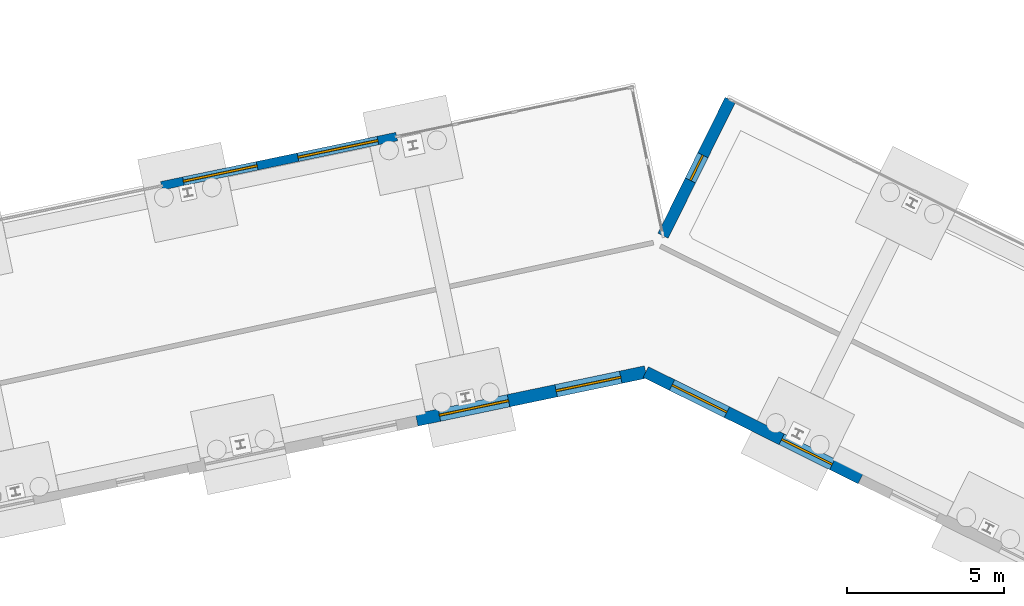
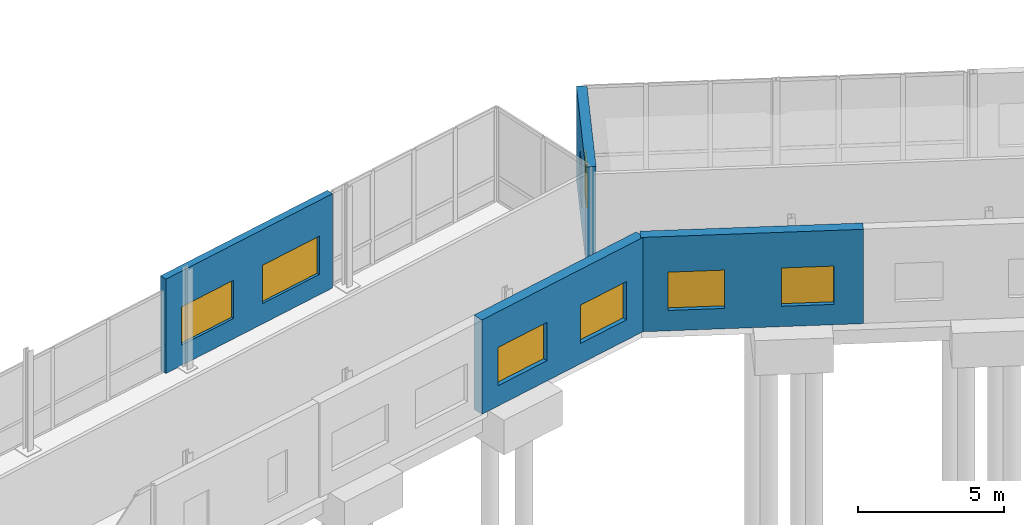
# One storey, part 88 of 113: 7 windows, 4 walls, 7 openings.
"""IFC4 building model written with IfcOpenShell, lengths in metres."""

from ifc_helpers import new_model, si_unit, direction, frame, frame_2d, origin, place, context, subcontext, project, spatial, rectangle, extrude, material, layer, layer_set, type_object, element, fill, save


model = new_model("IFC4")

# Units and contexts
model_context = context("Model", 3, precision=1e-05, world=origin(), true_north=direction((0.0, 1.0)))
body_context = subcontext(model_context, "Body", "Model", "MODEL_VIEW")
ifc_project = project(units=[si_unit("LENGTHUNIT", "METRE"), si_unit("AREAUNIT", "SQUARE_METRE"), si_unit("VOLUMEUNIT", "CUBIC_METRE"), si_unit("PLANEANGLEUNIT", "RADIAN"), si_unit("MASSUNIT", "GRAM", prefix="KILO")], contexts=[model_context])

# Site, building, storey
site_placement = place(None, origin())
site = spatial("IfcSite", under=ifc_project, at=site_placement, CompositionType="ELEMENT")
building_placement = place(site_placement, origin())
building = spatial("IfcBuilding", under=site, at=building_placement, Name="Wrenclough Park School", CompositionType="ELEMENT")
storey_placement = place(building_placement, origin())
storey = spatial("IfcBuildingStorey", under=building, at=storey_placement, Name="L00", CompositionType="ELEMENT", Elevation=0.0)

# Wall, openings, windows
ifc_material_1 = material(Name="Link wing brick-faced cavity wall Concrete C32/40", Category="masonry")
ifc_layer_1 = layer(ifc_material_1, 0.27490234375)
ifc_layer_set_1 = layer_set([ifc_layer_1], Name="Link wing brick-faced cavity wall Concrete C32/40")
wall_type_1 = type_object("IfcWallType", Name="ENV-EW-275", PredefinedType="SOLIDWALL", material=ifc_layer_set_1)
wall_1_placement = place(storey_placement, frame((109.985595703125, 118.72509765625, 0.0), z_axis=(0.0, 0.0, 1.0), x_axis=(0.978789137369, 0.204870262772, 0.0)))
wall_1 = element("IfcWall", 1, at=wall_1_placement, inside=storey, type_object=wall_type_1, Name="L00 insulated brick external wall 0022", PredefinedType="SOLIDWALL", context=body_context, shape_type="SweptSolid", body=[
    extrude(rectangle(XDim=7.65185546875, YDim=0.27490234375, at=frame_2d((3.825927734375, 0.0))), origin(), (0.0, 0.0, 1.0), 3.93994140625),
])
opening_1_placement = place(wall_1_placement, frame((0.712890625, 0.0, 0.85009765625)))
opening_1 = element("IfcOpeningElement", 2, at=opening_1_placement, cuts=wall_1, Name="Opening WN-23", PredefinedType="OPENING", context=body_context, shape_type="SweptSolid", body=[
    extrude(rectangle(XDim=2.39990234375, YDim=1.60009765625, at=frame_2d((1.199951171875, 0.800048828125))), frame((0.0, 0.1474609375, 0.0), z_axis=(0.0, -1.0, 0.0), x_axis=(1.0, 0.0, 0.0)), (0.0, 0.0, 1.0), 0.294921875),
])
opening_2_placement = place(wall_1_placement, frame((4.438720703125, 0.0, 0.85009765625)))
opening_2 = element("IfcOpeningElement", 3, at=opening_2_placement, cuts=wall_1, Name="Opening WN-24", PredefinedType="OPENING", context=body_context, shape_type="SweptSolid", body=[
    extrude(rectangle(XDim=2.60009765625, YDim=1.60009765625, at=frame_2d((1.300048828125, 0.800048828125))), frame((0.0, 0.1474609375, 0.0), z_axis=(0.0, -1.0, 0.0), x_axis=(1.0, 0.0, 0.0)), (0.0, 0.0, 1.0), 0.294921875),
])
ifc_material_2 = material(Name="Thermally broken aluminium and double-glazed low-e glass", Category="aluminium")
window_type_1 = type_object("IfcWindowType", Name="ENV-WN-23", PartitioningType="DOUBLE_PANEL_VERTICAL", PredefinedType="WINDOW", material=ifc_material_2)
window_1_placement = place(opening_1_placement, origin())
window_1 = element("IfcWindow", 4, at=window_1_placement, inside=storey, type_object=window_type_1, Name="L00 scheduled facade window 0022", OverallHeight=1.60009765625, OverallWidth=2.39990234375, PartitioningType="SINGLE_PANEL", PredefinedType="WINDOW", context=body_context, shape_type="SweptSolid", body=[
    extrude(rectangle(XDim=2.39990234375, YDim=1.60009765625, at=frame_2d((1.199951171875, 0.800048828125))), frame((0.0, 0.030029296875, 0.0), z_axis=(0.0, -1.0, 0.0), x_axis=(1.0, 0.0, 0.0)), (0.0, 0.0, 1.0), 0.06005859375),
])
fill(opening_1, window_1)
window_type_2 = type_object("IfcWindowType", Name="ENV-WN-24", PartitioningType="DOUBLE_PANEL_VERTICAL", PredefinedType="WINDOW", material=ifc_material_2)
window_2_placement = place(opening_2_placement, origin())
window_2 = element("IfcWindow", 5, at=window_2_placement, inside=storey, type_object=window_type_2, Name="L00 scheduled facade window 0023", OverallHeight=1.60009765625, OverallWidth=2.60009765625, PartitioningType="SINGLE_PANEL", PredefinedType="WINDOW", context=body_context, shape_type="SweptSolid", body=[
    extrude(rectangle(XDim=2.60009765625, YDim=1.60009765625, at=frame_2d((1.300048828125, 0.800048828125))), frame((0.0, 0.030029296875, 0.0), z_axis=(0.0, -1.0, 0.0), x_axis=(1.0, 0.0, 0.0)), (0.0, 0.0, 1.0), 0.06005859375),
])
fill(opening_2, window_2)

# Wall, opening, window
ifc_material_3 = material(Name="Faceted courtyard brick-cavity wall Concrete C35/45", Category="masonry")
ifc_layer_2 = layer(ifc_material_3, 0.364990234375)
ifc_layer_set_2 = layer_set([ifc_layer_2], Name="Faceted courtyard brick-cavity wall Concrete C35/45")
wall_type_2 = type_object("IfcWallType", Name="ENV-EW-365", PredefinedType="SOLIDWALL", material=ifc_layer_set_2)
wall_2_placement = place(storey_placement, frame((125.95361328125, 117.135498046875, 0.0), z_axis=(0.0, 0.0, 1.0), x_axis=(0.443507546111, 0.896270638001, 0.0)))
wall_2 = element("IfcWall", 6, at=wall_2_placement, inside=storey, type_object=wall_type_2, Name="L00 insulated brick external wall 0023", PredefinedType="SOLIDWALL", context=body_context, shape_type="SweptSolid", body=[
    extrude(rectangle(XDim=4.8271484375, YDim=0.364990234375, at=frame_2d((2.41357421875, 0.0))), origin(), (0.0, 0.0, 1.0), 3.93994140625),
])
opening_3_placement = place(wall_2_placement, frame((1.963623046875, 0.0, 0.85009765625)))
opening_3 = element("IfcOpeningElement", 7, at=opening_3_placement, cuts=wall_2, Name="Opening WN-25", PredefinedType="OPENING", context=body_context, shape_type="SweptSolid", body=[
    extrude(rectangle(XDim=0.89990234375, YDim=1.800048828125, at=frame_2d((0.449951171875, 0.89990234375))), frame((0.0, 0.1923828125, 0.0), z_axis=(0.0, -1.0, 0.0), x_axis=(1.0, 0.0, 0.0)), (0.0, 0.0, 1.0), 0.385009765625),
])
window_type_3 = type_object("IfcWindowType", Name="ENV-WN-25", PartitioningType="SINGLE_PANEL", PredefinedType="WINDOW", material=ifc_material_2)
window_3_placement = place(opening_3_placement, origin())
window_3 = element("IfcWindow", 8, at=window_3_placement, inside=storey, type_object=window_type_3, Name="L00 scheduled facade window 0024", OverallHeight=1.800048828125, OverallWidth=0.89990234375, PartitioningType="SINGLE_PANEL", PredefinedType="WINDOW", context=body_context, shape_type="SweptSolid", body=[
    extrude(rectangle(XDim=0.89990234375, YDim=1.800048828125, at=frame_2d((0.449951171875, 0.89990234375))), frame((0.0, 0.030029296875, 0.0), z_axis=(0.0, -1.0, 0.0), x_axis=(1.0, 0.0, 0.0)), (0.0, 0.0, 1.0), 0.06005859375),
])
fill(opening_3, window_3)

# Wall, openings, windows
ifc_material_4 = material(Name="Manchester multi-stock brick and Concrete C35/45 inner leaf", Category="masonry")
ifc_layer_3 = layer(ifc_material_4, 0.3798828125)
ifc_layer_set_3 = layer_set([ifc_layer_3], Name="Manchester multi-stock brick and Concrete C35/45 inner leaf")
wall_type_3 = type_object("IfcWallType", Name="ENV-EW-380", PredefinedType="SOLIDWALL", material=ifc_layer_set_3)
wall_3_placement = place(storey_placement, frame((132.248779296875, 109.4091796875, 0.0), z_axis=(0.0, 0.0, 1.0), x_axis=(-0.896260326182, 0.443528384336, 0.0)))
wall_3 = element("IfcWall", 9, at=wall_3_placement, inside=storey, type_object=wall_type_3, Name="L00 insulated brick external wall 0059", PredefinedType="SOLIDWALL", context=body_context, shape_type="SweptSolid", body=[
    extrude(rectangle(XDim=7.6396484375, YDim=0.3798828125, at=frame_2d((3.81982421875, 0.0))), origin(), (0.0, 0.0, 1.0), 3.93994140625),
])
opening_4_placement = place(wall_3_placement, frame((1.010009765625, 0.0, 0.85009765625)))
opening_4 = element("IfcOpeningElement", 10, at=opening_4_placement, cuts=wall_3, Name="Opening WN-19", PredefinedType="OPENING", context=body_context, shape_type="SweptSolid", body=[
    extrude(rectangle(XDim=1.800048828125, YDim=1.60009765625, at=frame_2d((0.89990234375, 0.800048828125))), frame((0.0, 0.199951171875, 0.0), z_axis=(0.0, -1.0, 0.0), x_axis=(1.0, 0.0, 0.0)), (0.0, 0.0, 1.0), 0.39990234375),
])
opening_5_placement = place(wall_3_placement, frame((4.7548828125, 0.0, 0.85009765625)))
opening_5 = element("IfcOpeningElement", 11, at=opening_5_placement, cuts=wall_3, Name="Opening WN-20", PredefinedType="OPENING", context=body_context, shape_type="SweptSolid", body=[
    extrude(rectangle(XDim=1.949951171875, YDim=1.60009765625, at=frame_2d((0.97509765625, 0.800048828125))), frame((0.0, 0.199951171875, 0.0), z_axis=(0.0, -1.0, 0.0), x_axis=(1.0, 0.0, 0.0)), (0.0, 0.0, 1.0), 0.39990234375),
])
window_type_4 = type_object("IfcWindowType", Name="ENV-WN-19", PartitioningType="DOUBLE_PANEL_VERTICAL", PredefinedType="WINDOW", material=ifc_material_2)
window_4_placement = place(opening_4_placement, origin())
window_4 = element("IfcWindow", 12, at=window_4_placement, inside=storey, type_object=window_type_4, Name="L00 scheduled facade window 0074", OverallHeight=1.60009765625, OverallWidth=1.800048828125, PartitioningType="SINGLE_PANEL", PredefinedType="WINDOW", context=body_context, shape_type="SweptSolid", body=[
    extrude(rectangle(XDim=1.800048828125, YDim=1.60009765625, at=frame_2d((0.89990234375, 0.800048828125))), frame((0.0, 0.030029296875, 0.0), z_axis=(0.0, -1.0, 0.0), x_axis=(1.0, 0.0, 0.0)), (0.0, 0.0, 1.0), 0.06005859375),
])
fill(opening_4, window_4)
window_type_5 = type_object("IfcWindowType", Name="ENV-WN-20", PartitioningType="DOUBLE_PANEL_VERTICAL", PredefinedType="WINDOW", material=ifc_material_2)
window_5_placement = place(opening_5_placement, origin())
window_5 = element("IfcWindow", 13, at=window_5_placement, inside=storey, type_object=window_type_5, Name="L00 scheduled facade window 0075", OverallHeight=1.60009765625, OverallWidth=1.949951171875, PartitioningType="SINGLE_PANEL", PredefinedType="WINDOW", context=body_context, shape_type="SweptSolid", body=[
    extrude(rectangle(XDim=1.949951171875, YDim=1.60009765625, at=frame_2d((0.97509765625, 0.800048828125))), frame((0.0, 0.030029296875, 0.0), z_axis=(0.0, -1.0, 0.0), x_axis=(1.0, 0.0, 0.0)), (0.0, 0.0, 1.0), 0.06005859375),
])
fill(opening_5, window_5)

ifc_material_5 = material(Name="Staffordshire blue-grey brick and Concrete C40/50 acoustic leaf", Category="masonry")
ifc_layer_4 = layer(ifc_material_5, 0.39990234375)
ifc_layer_set_4 = layer_set([ifc_layer_4], Name="Staffordshire blue-grey brick and Concrete C40/50 acoustic leaf")
wall_type_4 = type_object("IfcWallType", Name="ENV-EW-400", PredefinedType="SOLIDWALL", material=ifc_layer_set_4)
wall_4_placement = place(storey_placement, frame((125.401611328125, 112.797607421875, 0.0), z_axis=(0.0, 0.0, 1.0), x_axis=(-0.978794293799, -0.20484562584, 0.0)))
wall_4 = element("IfcWall", 14, at=wall_4_placement, inside=storey, type_object=wall_type_4, Name="L00 insulated brick external wall 0060", PredefinedType="SOLIDWALL", context=body_context, shape_type="SweptSolid", body=[
    extrude(rectangle(XDim=7.44775390625, YDim=0.39990234375, at=frame_2d((3.723876953125, 0.0))), origin(), (0.0, 0.0, 1.0), 3.93994140625),
])
opening_6_placement = place(wall_4_placement, frame((0.81201171875, 0.0, 0.85009765625)))
opening_6 = element("IfcOpeningElement", 15, at=opening_6_placement, cuts=wall_4, Name="Opening WN-21", PredefinedType="OPENING", context=body_context, shape_type="SweptSolid", body=[
    extrude(rectangle(XDim=2.10009765625, YDim=1.60009765625, at=frame_2d((1.050048828125, 0.800048828125))), frame((0.0, 0.2099609375, 0.0), z_axis=(0.0, -1.0, 0.0), x_axis=(1.0, 0.0, 0.0)), (0.0, 0.0, 1.0), 0.419921875),
])
opening_7_placement = place(wall_4_placement, frame((4.460693359375, 0.0, 0.85009765625)))
opening_7 = element("IfcOpeningElement", 16, at=opening_7_placement, cuts=wall_4, Name="Opening WN-22", PredefinedType="OPENING", context=body_context, shape_type="SweptSolid", body=[
    extrude(rectangle(XDim=2.25, YDim=1.60009765625, at=frame_2d((1.125, 0.800048828125))), frame((0.0, 0.2099609375, 0.0), z_axis=(0.0, -1.0, 0.0), x_axis=(1.0, 0.0, 0.0)), (0.0, 0.0, 1.0), 0.419921875),
])
window_type_6 = type_object("IfcWindowType", Name="ENV-WN-21", PartitioningType="DOUBLE_PANEL_VERTICAL", PredefinedType="WINDOW", material=ifc_material_2)
window_6_placement = place(opening_6_placement, origin())
window_6 = element("IfcWindow", 17, at=window_6_placement, inside=storey, type_object=window_type_6, Name="L00 scheduled facade window 0076", OverallHeight=1.60009765625, OverallWidth=2.10009765625, PartitioningType="SINGLE_PANEL", PredefinedType="WINDOW", context=body_context, shape_type="SweptSolid", body=[
    extrude(rectangle(XDim=2.10009765625, YDim=1.60009765625, at=frame_2d((1.050048828125, 0.800048828125))), frame((0.0, 0.030029296875, 0.0), z_axis=(0.0, -1.0, 0.0), x_axis=(1.0, 0.0, 0.0)), (0.0, 0.0, 1.0), 0.06005859375),
])
fill(opening_6, window_6)
window_type_7 = type_object("IfcWindowType", Name="ENV-WN-22", PartitioningType="DOUBLE_PANEL_VERTICAL", PredefinedType="WINDOW", material=ifc_material_2)
window_7_placement = place(opening_7_placement, origin())
window_7 = element("IfcWindow", 18, at=window_7_placement, inside=storey, type_object=window_type_7, Name="L00 scheduled facade window 0077", OverallHeight=1.60009765625, OverallWidth=2.25, PartitioningType="SINGLE_PANEL", PredefinedType="WINDOW", context=body_context, shape_type="SweptSolid", body=[
    extrude(rectangle(XDim=2.25, YDim=1.60009765625, at=frame_2d((1.125, 0.800048828125))), frame((0.0, 0.030029296875, 0.0), z_axis=(0.0, -1.0, 0.0), x_axis=(1.0, 0.0, 0.0)), (0.0, 0.0, 1.0), 0.06005859375),
])
fill(opening_7, window_7)

save(model, "model.ifc")
